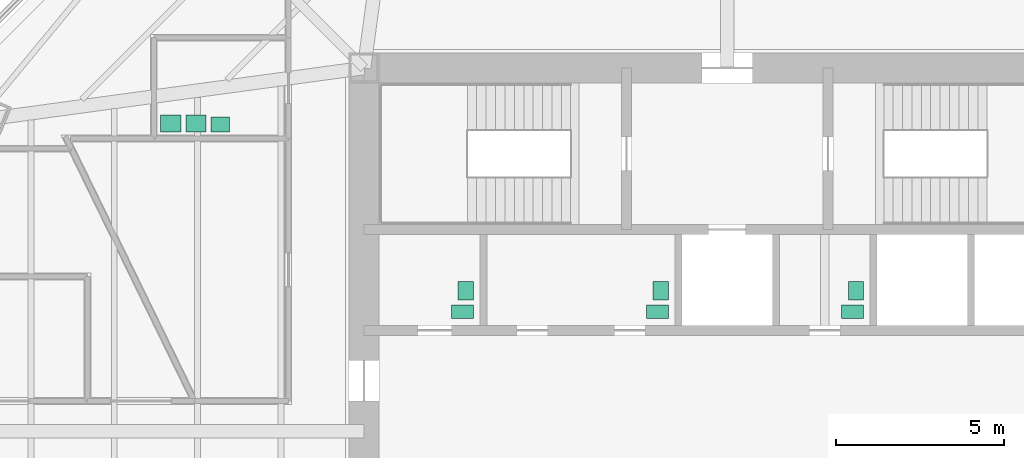
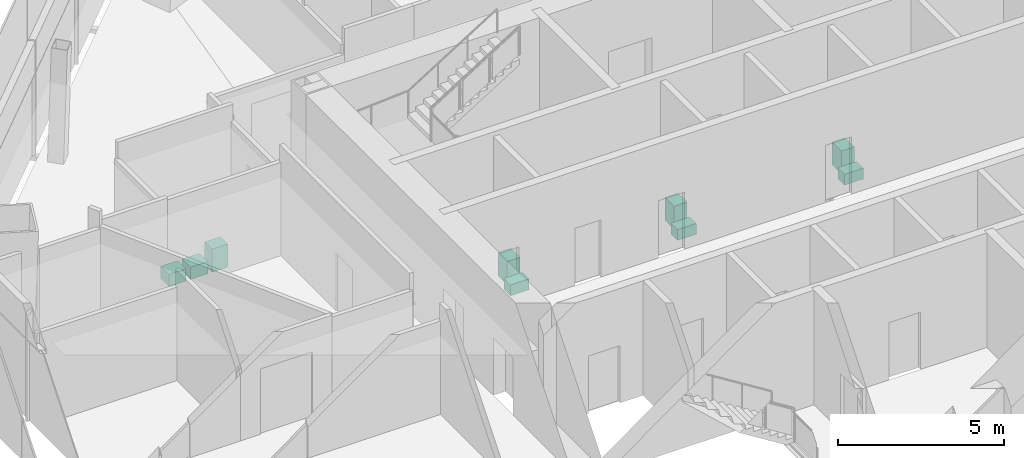
# One storey, part 14 of 14: 9 sanitary terminals.
"""IFC4 building model written with IfcOpenShell, lengths in metres."""

from ifc_helpers import new_model, si_unit, direction, frame, origin, origin_2d, place, context, subcontext, project, spatial, rectangle, extrude, material, type_object, element, save


model = new_model("IFC4")

# Units and contexts
model_context = context("Model", 3, precision=1e-05, world=origin(), true_north=direction((0.0, 1.0)))
body_context = subcontext(model_context, "Body", "Model", "MODEL_VIEW")
ifc_project = project(units=[si_unit("LENGTHUNIT", "METRE"), si_unit("AREAUNIT", "SQUARE_METRE"), si_unit("VOLUMEUNIT", "CUBIC_METRE"), si_unit("PLANEANGLEUNIT", "RADIAN"), si_unit("MASSUNIT", "GRAM", prefix="KILO")], contexts=[model_context])

# Site, building, storey
site_placement = place(None, origin())
site = spatial("IfcSite", under=ifc_project, at=site_placement, CompositionType="ELEMENT")
building_placement = place(site_placement, origin())
building = spatial("IfcBuilding", under=site, at=building_placement, Name="Mashrafa Tower", CompositionType="ELEMENT")
storey_placement = place(building_placement, frame((0.0, 0.0, 142.800048828125)))
storey = spatial("IfcBuildingStorey", under=building, at=storey_placement, Name="L32", CompositionType="ELEMENT", Elevation=142.800048828125)

# Sanitary terminals
ifc_material_1 = material(Name="Stainless steel", Category="steel")
sanitary_terminal_type_1 = type_object("IfcSanitaryTerminalType", Name="Ablution wash station 600 x 500", PredefinedType="WASHHANDBASIN", material=ifc_material_1)
for number, where, z_axis, x_axis, name in (
    (1, (-16.550048828125, 9.14990234375, 0.0), (0.0, 0.0, 1.0), (1.0, 0.0, 0.0), "Ablution wash station Ablution Room L32"),
    (2, (-15.800048828125, 9.14990234375, 0.0), (0.0, 0.0, 1.0), (1.0, 0.0, 0.0), "Ablution wash station Ablution Room L32"),
):
    element("IfcSanitaryTerminal", number, at=place(storey_placement, frame(where, z_axis=z_axis, x_axis=x_axis)), inside=storey, type_object=sanitary_terminal_type_1, Name=name, PredefinedType="WASHHANDBASIN", context=body_context, shape_type="SweptSolid", body=[
        extrude(rectangle(XDim=0.60009765625, YDim=0.5, at=origin_2d()), origin(), (0.0, 0.0, 1.0), 0.449951171875),
    ])
ifc_material_2 = material(Name="Vitreous china")
sanitary_terminal_type_2 = type_object("IfcSanitaryTerminalType", Name="Toilet pan 400 x 650", PredefinedType="TOILETPAN", material=ifc_material_2)
for number, where, z_axis, x_axis, name in (
    (3, (-7.875, 3.550048828125, 0.0), (0.0, 0.0, 1.0), (0.0, 1.0, 0.0), "Toilet pan Accessible WC L32"),
    (4, (-2.074951171875, 3.550048828125, 0.0), (0.0, 0.0, 1.0), (0.0, 1.0, 0.0), "Toilet pan WC Male L32"),
    (5, (3.72509765625, 3.550048828125, 0.0), (0.0, 0.0, 1.0), (0.0, 1.0, 0.0), "Toilet pan WC Female L32"),
):
    element("IfcSanitaryTerminal", number, at=place(storey_placement, frame(where, z_axis=z_axis, x_axis=x_axis)), inside=storey, type_object=sanitary_terminal_type_2, Name=name, PredefinedType="TOILETPAN", context=body_context, shape_type="SweptSolid", body=[
        extrude(rectangle(XDim=0.39990234375, YDim=0.64990234375, at=origin_2d()), origin(), (0.0, 0.0, 1.0), 0.39990234375),
    ])
ifc_material_3 = material(Name="Vitreous china")
sanitary_terminal_type_3 = type_object("IfcSanitaryTerminalType", Name="Wash basin 550 x 450", PredefinedType="WASHHANDBASIN", material=ifc_material_3)
for number, where, z_axis, x_axis, name in (
    (6, (-7.77490234375, 4.175048828125, 0.0), (0.0, 0.0, 1.0), (0.0, 1.0, 0.0), "Wash basin Accessible WC L32"),
    (7, (-1.97509765625, 4.175048828125, 0.0), (0.0, 0.0, 1.0), (0.0, 1.0, 0.0), "Wash basin WC Male L32"),
    (8, (3.824951171875, 4.175048828125, 0.0), (0.0, 0.0, 1.0), (0.0, 1.0, 0.0), "Wash basin WC Female L32"),
    (9, (-15.074951171875, 9.125, 0.0), (0.0, 0.0, 1.0), (1.0, 0.0, 0.0), "Wash basin Ablution Room L32"),
):
    element("IfcSanitaryTerminal", number, at=place(storey_placement, frame(where, z_axis=z_axis, x_axis=x_axis)), inside=storey, type_object=sanitary_terminal_type_3, Name=name, PredefinedType="WASHHANDBASIN", context=body_context, shape_type="SweptSolid", body=[
        extrude(rectangle(XDim=0.550048828125, YDim=0.449951171875, at=origin_2d()), origin(), (0.0, 0.0, 1.0), 0.85009765625),
    ])

save(model, "model.ifc")
